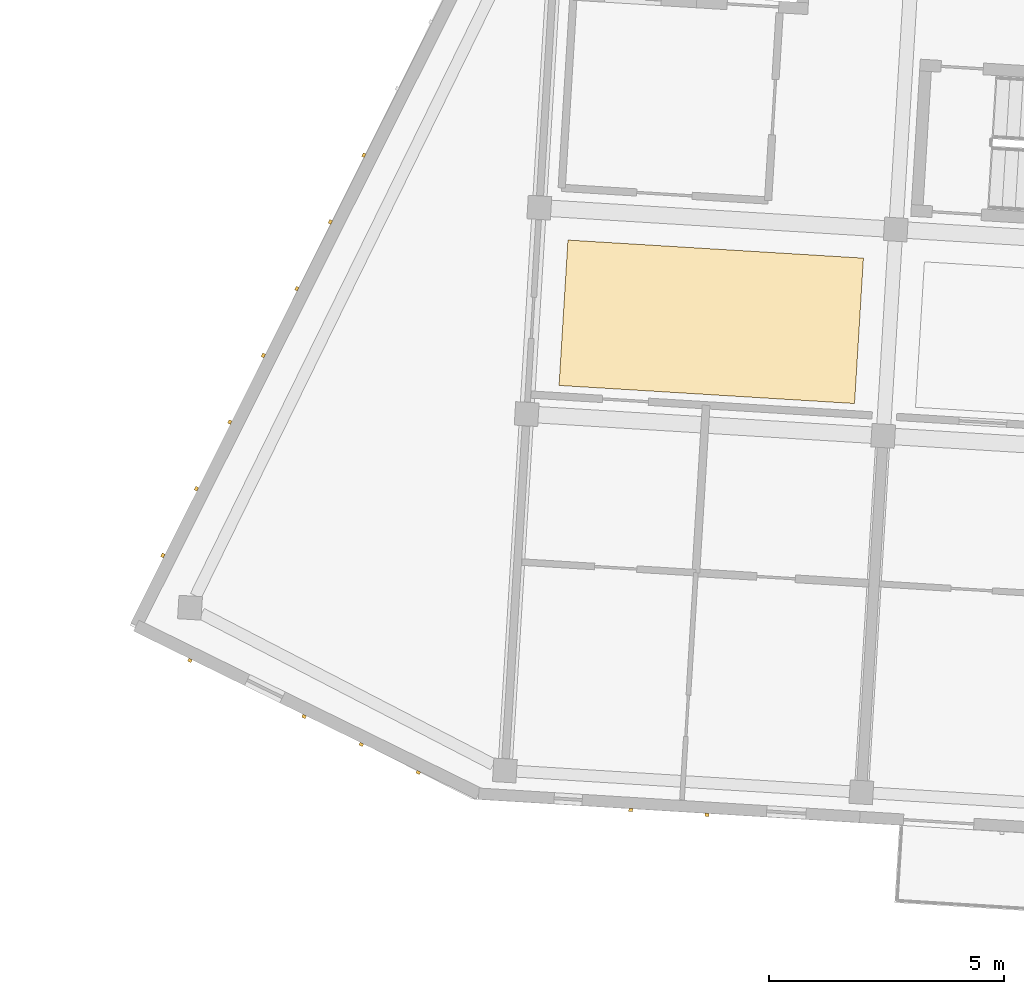
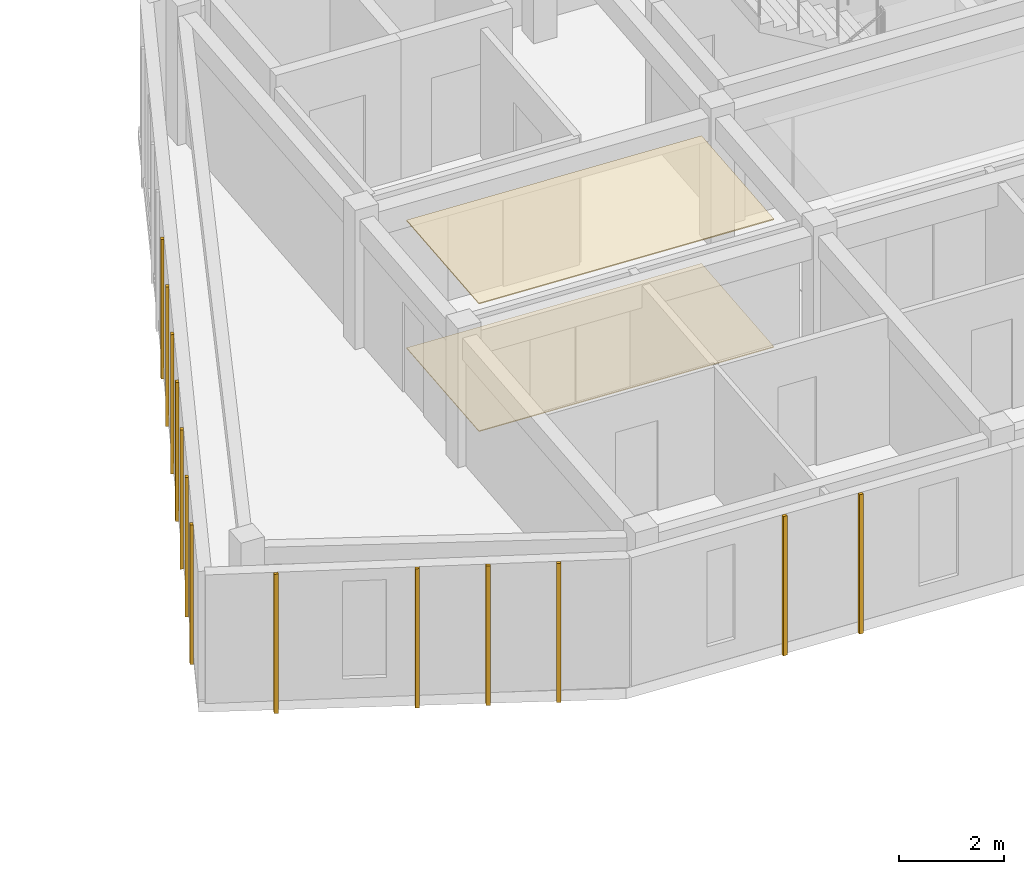
# One storey, part 41 of 74: 15 coverings.
"""IFC4 building model written with IfcOpenShell, lengths in metres."""

from ifc_helpers import new_model, si_unit, direction, frame, origin, origin_2d, place, context, subcontext, project, spatial, polyline, rectangle, outline, extrude, material, layer, layer_set, type_object, element, save


model = new_model("IFC4")

# Units and contexts
model_context = context("Model", 3, precision=1e-05, world=origin(), true_north=direction((0.0, 1.0)))
body_context = subcontext(model_context, "Body", "Model", "MODEL_VIEW")
ifc_project = project(units=[si_unit("LENGTHUNIT", "METRE"), si_unit("AREAUNIT", "SQUARE_METRE"), si_unit("VOLUMEUNIT", "CUBIC_METRE"), si_unit("PLANEANGLEUNIT", "RADIAN"), si_unit("MASSUNIT", "GRAM", prefix="KILO")], contexts=[model_context])

# Site, building, storey
site_placement = place(None, origin())
site = spatial("IfcSite", under=ifc_project, at=site_placement, CompositionType="ELEMENT")
building_placement = place(site_placement, origin())
building = spatial("IfcBuilding", under=site, at=building_placement, Name="Kestramere Prow Commons", CompositionType="ELEMENT")
storey_placement = place(building_placement, frame((0.0, 0.0, 11.64990234375)))
storey = spatial("IfcBuildingStorey", under=building, at=storey_placement, Name="L03", CompositionType="ELEMENT", Elevation=11.64990234375)

# Coverings
ifc_material_1 = material(Name="Mineral Fibre Acoustic Ceiling Tile")
ifc_layer_1 = layer(ifc_material_1, 0.02490234375)
ifc_layer_set_1 = layer_set([ifc_layer_1], Name="Mineral Fibre Acoustic Ceiling Tile")
covering_type_1 = type_object("IfcCoveringType", Name="COV-CEIL-ACOUSTIC", PredefinedType="CEILING", material=ifc_layer_set_1)
covering_1_placement = place(storey_placement, frame((0.0, 0.0, 2.97509765625)))
element("IfcCovering", 1, at=covering_1_placement, inside=storey, type_object=covering_type_1, Name="Block C L03 Corridor Acoustic Ceiling 1", PredefinedType="CEILING", context=body_context, shape_type="SweptSolid", body=[
    extrude(outline(polyline([(60.65234375, 54.69482421875), (66.940673828125, 54.310302734375), (67.1298828125, 57.404541015625), (60.841796875, 57.7890625), (60.65234375, 54.69482421875)])), origin(), (0.0, 0.0, 1.0), 0.02490234375),
])
ifc_material_2 = material(Name="Weathered Zinc-Titanium Standing-Seam Cladding")
ifc_layer_2 = layer(ifc_material_2, 0.074951171875)
ifc_layer_set_2 = layer_set([ifc_layer_2], Name="Weathered Zinc-Titanium Standing-Seam Cladding")
covering_type_2 = type_object("IfcCoveringType", Name="COV-CLAD-SEAM", PredefinedType="CLADDING", material=ifc_layer_set_2)
for number, where, z_axis, x_axis, name in (
    (2, (63.800537109375, 45.55810546875, -0.25), (0.0, 0.0, 1.0), (-0.998134798422, 0.061048539535, 0.0), "EW-C-L03-S-0 Standing-Seam Rib 2"),
    (3, (62.178466796875, 45.657470703125, -0.25), (0.0, 0.0, 1.0), (-0.998134798422, 0.061048539535, 0.0), "EW-C-L03-S-0 Standing-Seam Rib 3"),
    (4, (57.6572265625, 46.458251953125, -0.25), (0.0, 0.0, 1.0), (-0.897770965065, 0.440462591245, 0.0), "EW-C-L03-PRW-S Standing-Seam Rib 1"),
    (5, (56.4423828125, 47.054443359375, -0.25), (0.0, 0.0, 1.0), (-0.897770965065, 0.440462591245, 0.0), "EW-C-L03-PRW-S Standing-Seam Rib 2"),
    (6, (55.227294921875, 47.650390625, -0.25), (0.0, 0.0, 1.0), (-0.897770965065, 0.440462591245, 0.0), "EW-C-L03-PRW-S Standing-Seam Rib 3"),
    (7, (52.797119140625, 48.8427734375, -0.25), (0.0, 0.0, 1.0), (-0.897770965065, 0.440462591245, 0.0), "EW-C-L03-PRW-S Standing-Seam Rib 5"),
    (8, (52.220947265625, 51.0771484375, -0.25), (0.0, 0.0, 1.0), (0.448620327542, 0.893722441095, 0.0), "EW-C-L03-PRW-N Standing-Seam Rib 1"),
    (9, (52.93359375, 52.496826171875, -0.25), (0.0, 0.0, 1.0), (0.448620327542, 0.893722441095, 0.0), "EW-C-L03-PRW-N Standing-Seam Rib 2"),
    (10, (53.646240234375, 53.916259765625, -0.25), (0.0, 0.0, 1.0), (0.448620327542, 0.893722441095, 0.0), "EW-C-L03-PRW-N Standing-Seam Rib 3"),
    (11, (54.358642578125, 55.3359375, -0.25), (0.0, 0.0, 1.0), (0.448620327542, 0.893722441095, 0.0), "EW-C-L03-PRW-N Standing-Seam Rib 4"),
    (12, (55.0712890625, 56.75537109375, -0.25), (0.0, 0.0, 1.0), (0.448620327542, 0.893722441095, 0.0), "EW-C-L03-PRW-N Standing-Seam Rib 5"),
    (13, (55.783935546875, 58.175048828125, -0.25), (0.0, 0.0, 1.0), (0.448620327542, 0.893722441095, 0.0), "EW-C-L03-PRW-N Standing-Seam Rib 6"),
    (14, (56.49658203125, 59.594482421875, -0.25), (0.0, 0.0, 1.0), (0.448620327542, 0.893722441095, 0.0), "EW-C-L03-PRW-N Standing-Seam Rib 7"),
):
    element("IfcCovering", number, at=place(storey_placement, frame(where, z_axis=z_axis, x_axis=x_axis)), inside=storey, type_object=covering_type_2, Name=name, PredefinedType="CLADDING", context=body_context, shape_type="SweptSolid", body=[
        extrude(rectangle(XDim=0.0849609375, YDim=0.06494140625, at=origin_2d()), origin(), (0.0, 0.0, 1.0), 3.25),
    ])
ifc_material_3 = material(Name="Honed Cementitious Terrazzo Tile")
ifc_layer_3 = layer(ifc_material_3, 0.02001953125)
ifc_layer_set_3 = layer_set([ifc_layer_3], Name="Honed Cementitious Terrazzo Tile")
covering_type_3 = type_object("IfcCoveringType", Name="COV-FLOOR-TERRAZZO", PredefinedType="FLOORING", material=ifc_layer_set_3)
covering_2_placement = place(storey_placement, origin())
element("IfcCovering", 15, at=covering_2_placement, inside=storey, type_object=covering_type_3, Name="Block C L03 Corridor Terrazzo Flooring 1", PredefinedType="FLOORING", context=body_context, shape_type="SweptSolid", body=[
    extrude(outline(polyline([(60.65234375, 54.69482421875), (66.940673828125, 54.310302734375), (67.1298828125, 57.404541015625), (60.841796875, 57.7890625), (60.65234375, 54.69482421875)])), origin(), (0.0, 0.0, 1.0), 0.02001953125),
])

save(model, "model.ifc")
